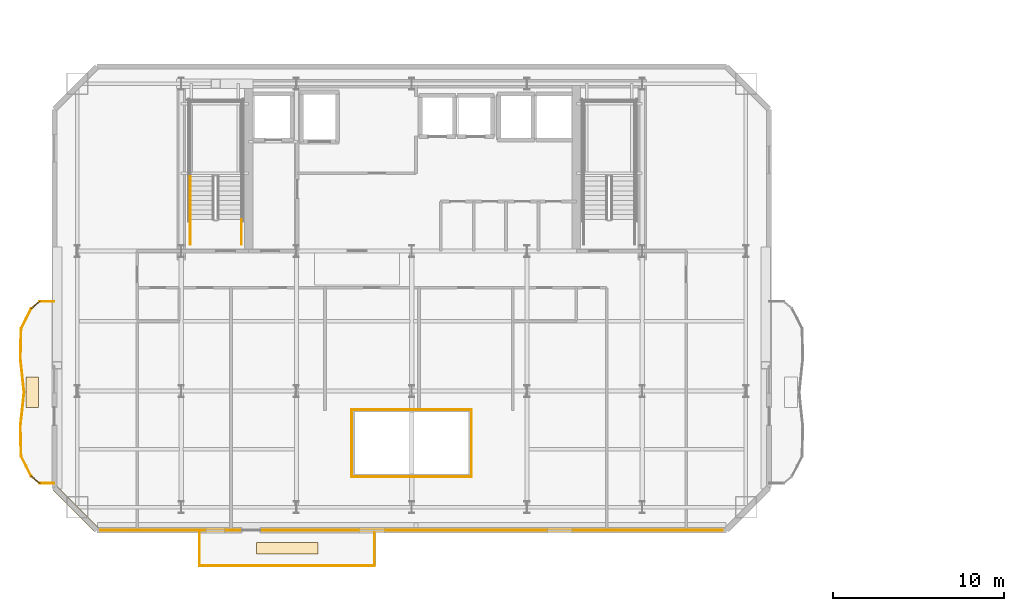
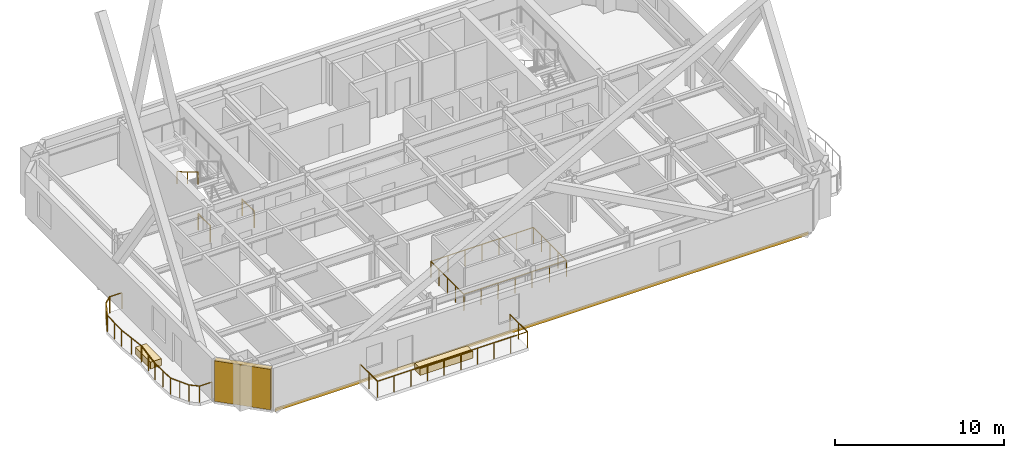
# One storey, part 15 of 19: 20 railings, 3 coverings, 1 shading device.
"""IFC4 building model written with IfcOpenShell, lengths in metres."""

from ifc_helpers import new_model, si_unit, direction, frame, origin, origin_2d, place, context, subcontext, project, spatial, rectangle, extrude, material, layer, layer_set, type_object, element, save


model = new_model("IFC4")

# Units and contexts
model_context = context("Model", 3, precision=1e-05, world=origin(), true_north=direction((0.0, 1.0)))
body_context = subcontext(model_context, "Body", "Model", "MODEL_VIEW")
ifc_project = project(units=[si_unit("LENGTHUNIT", "METRE"), si_unit("AREAUNIT", "SQUARE_METRE"), si_unit("VOLUMEUNIT", "CUBIC_METRE"), si_unit("PLANEANGLEUNIT", "RADIAN"), si_unit("MASSUNIT", "GRAM", prefix="KILO")], contexts=[model_context])

# Site, building, storey
site_placement = place(None, origin())
site = spatial("IfcSite", under=ifc_project, at=site_placement, CompositionType="ELEMENT")
building_placement = place(site_placement, origin())
building = spatial("IfcBuilding", under=site, at=building_placement, Name="Haevon Station Towers", CompositionType="ELEMENT")
storey_placement = place(building_placement, frame((0.0, 0.0, 156.0)))
storey = spatial("IfcBuildingStorey", under=building, at=storey_placement, Name="L42", CompositionType="ELEMENT", Elevation=156.0)

# Railings
ifc_material_1 = material(Name="Steel S355", Category="steel")
railing_type_1 = type_object("IfcRailingType", Name="BAL-ATR1200", PredefinedType="BALUSTRADE", material=ifc_material_1)
railing_1_placement = place(storey_placement, frame((33.995361328125, 24.991455078125, 0.0)))
element("IfcRailing", 1, at=railing_1_placement, inside=storey, type_object=railing_type_1, Name="L42 Atrium Void Balustrade 1", PredefinedType="BALUSTRADE", context=body_context, shape_type="SweptSolid", body=[
    extrude(rectangle(XDim=0.048095703125, YDim=0.048095703125, at=origin_2d()), frame((0.0, 0.0, 1.17578125), z_axis=(1.0, 0.0, 0.0), x_axis=(0.0, 1.0, 0.0)), (0.0, 0.0, 1.0), 7.00927734375),
    extrude(rectangle(XDim=0.0419921875, YDim=0.0419921875, at=origin_2d()), origin(), (0.0, 0.0, 1.0), 1.15185546875),
    extrude(rectangle(XDim=0.0419921875, YDim=0.0419921875, at=origin_2d()), frame((1.168212890625, 0.0, 0.0)), (0.0, 0.0, 1.0), 1.15185546875),
    extrude(rectangle(XDim=0.0419921875, YDim=0.0419921875, at=origin_2d()), frame((2.33642578125, 0.0, 0.0)), (0.0, 0.0, 1.0), 1.15185546875),
    extrude(rectangle(XDim=0.0419921875, YDim=0.0419921875, at=origin_2d()), frame((3.504638671875, 0.0, 0.0)), (0.0, 0.0, 1.0), 1.15185546875),
    extrude(rectangle(XDim=0.0419921875, YDim=0.0419921875, at=origin_2d()), frame((4.6728515625, 0.0, 0.0)), (0.0, 0.0, 1.0), 1.15185546875),
    extrude(rectangle(XDim=0.0419921875, YDim=0.0419921875, at=origin_2d()), frame((5.841064453125, 0.0, 0.0)), (0.0, 0.0, 1.0), 1.15185546875),
    extrude(rectangle(XDim=0.0419921875, YDim=0.0419921875, at=origin_2d()), frame((7.00927734375, 0.0, 0.0)), (0.0, 0.0, 1.0), 1.15185546875),
])
railing_2_placement = place(storey_placement, frame((41.004638671875, 24.991455078125, 0.0)))
element("IfcRailing", 2, at=railing_2_placement, inside=storey, type_object=railing_type_1, Name="L42 Atrium Void Balustrade 2", PredefinedType="BALUSTRADE", context=body_context, shape_type="SweptSolid", body=[
    extrude(rectangle(XDim=0.048095703125, YDim=0.048095703125, at=origin_2d()), frame((0.0, 0.0, 1.17578125), z_axis=(0.0, 1.0, 0.0), x_axis=(-1.0, 0.0, 0.0)), (0.0, 0.0, 1.0), 3.9169921875),
    extrude(rectangle(XDim=0.0419921875, YDim=0.0419921875, at=origin_2d()), origin(), (0.0, 0.0, 1.0), 1.15185546875),
    extrude(rectangle(XDim=0.0419921875, YDim=0.0419921875, at=origin_2d()), frame((0.0, 0.979248046875, 0.0)), (0.0, 0.0, 1.0), 1.15185546875),
    extrude(rectangle(XDim=0.0419921875, YDim=0.0419921875, at=origin_2d()), frame((0.0, 1.95849609375, 0.0)), (0.0, 0.0, 1.0), 1.15185546875),
    extrude(rectangle(XDim=0.0419921875, YDim=0.0419921875, at=origin_2d()), frame((0.0, 2.937744140625, 0.0)), (0.0, 0.0, 1.0), 1.15185546875),
    extrude(rectangle(XDim=0.0419921875, YDim=0.0419921875, at=origin_2d()), frame((0.0, 3.9169921875, 0.0)), (0.0, 0.0, 1.0), 1.15185546875),
])
railing_3_placement = place(storey_placement, frame((41.004638671875, 28.908447265625, 0.0)))
element("IfcRailing", 3, at=railing_3_placement, inside=storey, type_object=railing_type_1, Name="L42 Atrium Void Balustrade 3", PredefinedType="BALUSTRADE", context=body_context, shape_type="SweptSolid", body=[
    extrude(rectangle(XDim=0.048095703125, YDim=0.048095703125, at=origin_2d()), frame((0.0, 0.0, 1.17578125), z_axis=(-1.0, 0.0, 0.0), x_axis=(0.0, -1.0, 0.0)), (0.0, 0.0, 1.0), 7.00927734375),
    extrude(rectangle(XDim=0.0419921875, YDim=0.0419921875, at=origin_2d()), origin(), (0.0, 0.0, 1.0), 1.15185546875),
    extrude(rectangle(XDim=0.0419921875, YDim=0.0419921875, at=origin_2d()), frame((-1.168212890625, 0.0, 0.0)), (0.0, 0.0, 1.0), 1.15185546875),
    extrude(rectangle(XDim=0.0419921875, YDim=0.0419921875, at=origin_2d()), frame((-2.33642578125, 0.0, 0.0)), (0.0, 0.0, 1.0), 1.15185546875),
    extrude(rectangle(XDim=0.0419921875, YDim=0.0419921875, at=origin_2d()), frame((-3.504638671875, 0.0, 0.0)), (0.0, 0.0, 1.0), 1.15185546875),
    extrude(rectangle(XDim=0.0419921875, YDim=0.0419921875, at=origin_2d()), frame((-4.6728515625, 0.0, 0.0)), (0.0, 0.0, 1.0), 1.15185546875),
    extrude(rectangle(XDim=0.0419921875, YDim=0.0419921875, at=origin_2d()), frame((-5.841064453125, 0.0, 0.0)), (0.0, 0.0, 1.0), 1.15185546875),
    extrude(rectangle(XDim=0.0419921875, YDim=0.0419921875, at=origin_2d()), frame((-7.00927734375, 0.0, 0.0)), (0.0, 0.0, 1.0), 1.15185546875),
])
railing_4_placement = place(storey_placement, frame((33.995361328125, 28.908447265625, 0.0)))
element("IfcRailing", 4, at=railing_4_placement, inside=storey, type_object=railing_type_1, Name="L42 Atrium Void Balustrade 4", PredefinedType="BALUSTRADE", context=body_context, shape_type="SweptSolid", body=[
    extrude(rectangle(XDim=0.048095703125, YDim=0.048095703125, at=origin_2d()), frame((0.0, 0.0, 1.17578125), z_axis=(0.0, -1.0, 0.0), x_axis=(1.0, 0.0, 0.0)), (0.0, 0.0, 1.0), 3.9169921875),
    extrude(rectangle(XDim=0.0419921875, YDim=0.0419921875, at=origin_2d()), origin(), (0.0, 0.0, 1.0), 1.15185546875),
    extrude(rectangle(XDim=0.0419921875, YDim=0.0419921875, at=origin_2d()), frame((0.0, -0.979248046875, 0.0)), (0.0, 0.0, 1.0), 1.15185546875),
    extrude(rectangle(XDim=0.0419921875, YDim=0.0419921875, at=origin_2d()), frame((0.0, -1.95849609375, 0.0)), (0.0, 0.0, 1.0), 1.15185546875),
    extrude(rectangle(XDim=0.0419921875, YDim=0.0419921875, at=origin_2d()), frame((0.0, -2.937744140625, 0.0)), (0.0, 0.0, 1.0), 1.15185546875),
    extrude(rectangle(XDim=0.0419921875, YDim=0.0419921875, at=origin_2d()), frame((0.0, -3.9169921875, 0.0)), (0.0, 0.0, 1.0), 1.15185546875),
])

# Covering
ifc_material_2 = material(Name="Anodised aluminium 6063-T6", Category="aluminium")
ifc_layer_1 = layer(ifc_material_2, 0.0400390625)
ifc_layer_set_1 = layer_set([ifc_layer_1], Name="Anodised aluminium 6063-T6")
covering_type_1 = type_object("IfcCoveringType", Name="COV-CLAD40", PredefinedType="CLADDING", material=ifc_layer_set_1)
covering_1_placement = place(storey_placement, frame((37.5, 21.85009765625, -0.240234375), z_axis=(0.0, 0.0, 1.0), x_axis=(1.0, 0.0, 0.0)))
element("IfcCovering", 5, at=covering_1_placement, inside=storey, type_object=covering_type_1, Name="Tower 1 L42 Spandrel Fascia Cladding", PredefinedType="CLADDING", context=body_context, shape_type="SweptSolid", body=[
    extrude(rectangle(XDim=36.449951171875, YDim=0.0400390625, at=origin_2d()), origin(), (0.0, 0.0, 1.0), 0.239990234375),
])

# Railings
railing_type_2 = type_object("IfcRailingType", Name="GRD-EXT1200", PredefinedType="GUARDRAIL", material=ifc_material_1)
railing_5_placement = place(storey_placement, frame((16.551513671875, 35.2470703125, 0.0)))
element("IfcRailing", 6, at=railing_5_placement, inside=storey, type_object=railing_type_2, Name="L42 Perimeter Guardrail 1", PredefinedType="GUARDRAIL", context=body_context, shape_type="SweptSolid", body=[
    extrude(rectangle(XDim=0.048095703125, YDim=0.048095703125, at=origin_2d()), frame((0.0, 0.0, 1.17578125), z_axis=(-0.999997919967, -0.002039622797, 0.0), x_axis=(0.002039622797, -0.999997919967, 0.0)), (0.0, 0.0, 1.0), 0.837890625),
    extrude(rectangle(XDim=0.0419921875, YDim=0.0419921875, at=origin_2d()), origin(), (0.0, 0.0, 1.0), 1.15185546875),
    extrude(rectangle(XDim=0.0419921875, YDim=0.0419921875, at=origin_2d()), frame((-0.837890625, -0.001708984375, 0.0)), (0.0, 0.0, 1.0), 1.15185546875),
])
railing_6_placement = place(storey_placement, frame((15.713623046875, 35.245361328125, 0.0)))
element("IfcRailing", 7, at=railing_6_placement, inside=storey, type_object=railing_type_2, Name="L42 Perimeter Guardrail 2", PredefinedType="GUARDRAIL", context=body_context, shape_type="SweptSolid", body=[
    extrude(rectangle(XDim=0.048095703125, YDim=0.048095703125, at=origin_2d()), frame((0.0, 0.0, 1.17578125), z_axis=(-0.766342909973, -0.642431742938, 0.0), x_axis=(0.642431742938, -0.766342909973, 0.0)), (0.0, 0.0, 1.0), 0.640380859375),
    extrude(rectangle(XDim=0.0419921875, YDim=0.0419921875, at=origin_2d()), origin(), (0.0, 0.0, 1.0), 1.15185546875),
    extrude(rectangle(XDim=0.0419921875, YDim=0.0419921875, at=origin_2d()), frame((-0.49072265625, -0.411376953125, 0.0)), (0.0, 0.0, 1.0), 1.15185546875),
])
railing_7_placement = place(storey_placement, frame((15.222900390625, 34.833984375, 0.0)))
element("IfcRailing", 8, at=railing_7_placement, inside=storey, type_object=railing_type_2, Name="L42 Perimeter Guardrail 3", PredefinedType="GUARDRAIL", context=body_context, shape_type="SweptSolid", body=[
    extrude(rectangle(XDim=0.048095703125, YDim=0.048095703125, at=origin_2d()), frame((0.0, 0.0, 1.17578125), z_axis=(-0.452270967259, -0.89188058179, 0.0), x_axis=(0.89188058179, -0.452270967259, 0.0)), (0.0, 0.0, 1.0), 1.311279296875),
    extrude(rectangle(XDim=0.0419921875, YDim=0.0419921875, at=origin_2d()), origin(), (0.0, 0.0, 1.0), 1.15185546875),
    extrude(rectangle(XDim=0.0419921875, YDim=0.0419921875, at=origin_2d()), frame((-0.29638671875, -0.584716796875, 0.0)), (0.0, 0.0, 1.0), 1.15185546875),
    extrude(rectangle(XDim=0.0419921875, YDim=0.0419921875, at=origin_2d()), frame((-0.593017578125, -1.16943359375, 0.0)), (0.0, 0.0, 1.0), 1.15185546875),
])
railing_8_placement = place(storey_placement, frame((14.6298828125, 33.66455078125, 0.0)))
element("IfcRailing", 9, at=railing_8_placement, inside=storey, type_object=railing_type_2, Name="L42 Perimeter Guardrail 4", PredefinedType="GUARDRAIL", context=body_context, shape_type="SweptSolid", body=[
    extrude(rectangle(XDim=0.048095703125, YDim=0.048095703125, at=origin_2d()), frame((0.0, 0.0, 1.17578125), z_axis=(-0.023311172722, -0.999728257691, 0.0), x_axis=(0.999728257691, -0.023311172722, 0.0)), (0.0, 0.0, 1.0), 1.7490234375),
    extrude(rectangle(XDim=0.0419921875, YDim=0.0419921875, at=origin_2d()), origin(), (0.0, 0.0, 1.0), 1.15185546875),
    extrude(rectangle(XDim=0.0419921875, YDim=0.0419921875, at=origin_2d()), frame((-0.0205078125, -0.874267578125, 0.0)), (0.0, 0.0, 1.0), 1.15185546875),
    extrude(rectangle(XDim=0.0419921875, YDim=0.0419921875, at=origin_2d()), frame((-0.040771484375, -1.74853515625, 0.0)), (0.0, 0.0, 1.0), 1.15185546875),
])
railing_9_placement = place(storey_placement, frame((14.589111328125, 31.916015625, 0.0)))
element("IfcRailing", 10, at=railing_9_placement, inside=storey, type_object=railing_type_2, Name="L42 Perimeter Guardrail 5", PredefinedType="GUARDRAIL", context=body_context, shape_type="SweptSolid", body=[
    extrude(rectangle(XDim=0.048095703125, YDim=0.048095703125, at=origin_2d()), frame((0.0, 0.0, 1.17578125), z_axis=(0.107165907126, -0.99424115201, 0.0), x_axis=(0.99424115201, 0.107165907126, 0.0)), (0.0, 0.0, 1.0), 2.00244140625),
    extrude(rectangle(XDim=0.0419921875, YDim=0.0419921875, at=origin_2d()), origin(), (0.0, 0.0, 1.0), 1.15185546875),
    extrude(rectangle(XDim=0.0419921875, YDim=0.0419921875, at=origin_2d()), frame((0.107421875, -0.99560546875, 0.0)), (0.0, 0.0, 1.0), 1.15185546875),
    extrude(rectangle(XDim=0.0419921875, YDim=0.0419921875, at=origin_2d()), frame((0.214599609375, -1.990966796875, 0.0)), (0.0, 0.0, 1.0), 1.15185546875),
])
railing_10_placement = place(storey_placement, frame((14.8037109375, 29.925048828125, 0.0)))
element("IfcRailing", 11, at=railing_10_placement, inside=storey, type_object=railing_type_2, Name="L42 Perimeter Guardrail 6", PredefinedType="GUARDRAIL", context=body_context, shape_type="SweptSolid", body=[
    extrude(rectangle(XDim=0.048095703125, YDim=0.048095703125, at=origin_2d()), frame((0.0, 0.0, 1.17578125), z_axis=(-0.107165907126, -0.99424115201, 0.0), x_axis=(0.99424115201, -0.107165907126, 0.0)), (0.0, 0.0, 1.0), 2.00244140625),
    extrude(rectangle(XDim=0.0419921875, YDim=0.0419921875, at=origin_2d()), origin(), (0.0, 0.0, 1.0), 1.15185546875),
    extrude(rectangle(XDim=0.0419921875, YDim=0.0419921875, at=origin_2d()), frame((-0.107421875, -0.99560546875, 0.0)), (0.0, 0.0, 1.0), 1.15185546875),
    extrude(rectangle(XDim=0.0419921875, YDim=0.0419921875, at=origin_2d()), frame((-0.214599609375, -1.990966796875, 0.0)), (0.0, 0.0, 1.0), 1.15185546875),
])
railing_11_placement = place(storey_placement, frame((14.589111328125, 27.93408203125, 0.0)))
element("IfcRailing", 12, at=railing_11_placement, inside=storey, type_object=railing_type_2, Name="L42 Perimeter Guardrail 7", PredefinedType="GUARDRAIL", context=body_context, shape_type="SweptSolid", body=[
    extrude(rectangle(XDim=0.048095703125, YDim=0.048095703125, at=origin_2d()), frame((0.0, 0.0, 1.17578125), z_axis=(0.023311172722, -0.999728257691, 0.0), x_axis=(0.999728257691, 0.023311172722, 0.0)), (0.0, 0.0, 1.0), 1.7490234375),
    extrude(rectangle(XDim=0.0419921875, YDim=0.0419921875, at=origin_2d()), origin(), (0.0, 0.0, 1.0), 1.15185546875),
    extrude(rectangle(XDim=0.0419921875, YDim=0.0419921875, at=origin_2d()), frame((0.0205078125, -0.874267578125, 0.0)), (0.0, 0.0, 1.0), 1.15185546875),
    extrude(rectangle(XDim=0.0419921875, YDim=0.0419921875, at=origin_2d()), frame((0.040771484375, -1.74853515625, 0.0)), (0.0, 0.0, 1.0), 1.15185546875),
])
railing_12_placement = place(storey_placement, frame((14.6298828125, 26.185546875, 0.0)))
element("IfcRailing", 13, at=railing_12_placement, inside=storey, type_object=railing_type_2, Name="L42 Perimeter Guardrail 8", PredefinedType="GUARDRAIL", context=body_context, shape_type="SweptSolid", body=[
    extrude(rectangle(XDim=0.048095703125, YDim=0.048095703125, at=origin_2d()), frame((0.0, 0.0, 1.17578125), z_axis=(0.452270967259, -0.89188058179, 0.0), x_axis=(0.89188058179, 0.452270967259, 0.0)), (0.0, 0.0, 1.0), 1.311279296875),
    extrude(rectangle(XDim=0.0419921875, YDim=0.0419921875, at=origin_2d()), origin(), (0.0, 0.0, 1.0), 1.15185546875),
    extrude(rectangle(XDim=0.0419921875, YDim=0.0419921875, at=origin_2d()), frame((0.29638671875, -0.584716796875, 0.0)), (0.0, 0.0, 1.0), 1.15185546875),
    extrude(rectangle(XDim=0.0419921875, YDim=0.0419921875, at=origin_2d()), frame((0.593017578125, -1.16943359375, 0.0)), (0.0, 0.0, 1.0), 1.15185546875),
])
railing_13_placement = place(storey_placement, frame((15.222900390625, 25.01611328125, 0.0)))
element("IfcRailing", 14, at=railing_13_placement, inside=storey, type_object=railing_type_2, Name="L42 Perimeter Guardrail 9", PredefinedType="GUARDRAIL", context=body_context, shape_type="SweptSolid", body=[
    extrude(rectangle(XDim=0.048095703125, YDim=0.048095703125, at=origin_2d()), frame((0.0, 0.0, 1.17578125), z_axis=(0.766342909973, -0.642431742938, 0.0), x_axis=(0.642431742938, 0.766342909973, 0.0)), (0.0, 0.0, 1.0), 0.640380859375),
    extrude(rectangle(XDim=0.0419921875, YDim=0.0419921875, at=origin_2d()), origin(), (0.0, 0.0, 1.0), 1.15185546875),
    extrude(rectangle(XDim=0.0419921875, YDim=0.0419921875, at=origin_2d()), frame((0.49072265625, -0.411376953125, 0.0)), (0.0, 0.0, 1.0), 1.15185546875),
])
railing_14_placement = place(storey_placement, frame((15.713623046875, 24.604736328125, 0.0)))
element("IfcRailing", 15, at=railing_14_placement, inside=storey, type_object=railing_type_2, Name="L42 Perimeter Guardrail 10", PredefinedType="GUARDRAIL", context=body_context, shape_type="SweptSolid", body=[
    extrude(rectangle(XDim=0.048095703125, YDim=0.048095703125, at=origin_2d()), frame((0.0, 0.0, 1.17578125), z_axis=(0.999997283225, -0.002330995998, 0.0), x_axis=(0.002330995998, 0.999997283225, 0.0)), (0.0, 0.0, 1.0), 0.837890625),
    extrude(rectangle(XDim=0.0419921875, YDim=0.0419921875, at=origin_2d()), origin(), (0.0, 0.0, 1.0), 1.15185546875),
    extrude(rectangle(XDim=0.0419921875, YDim=0.0419921875, at=origin_2d()), frame((0.837890625, -0.001953125, 0.0)), (0.0, 0.0, 1.0), 1.15185546875),
])
railing_15_placement = place(storey_placement, frame((25.078369140625, 19.765869140625, 0.0)))
element("IfcRailing", 16, at=railing_15_placement, inside=storey, type_object=railing_type_2, Name="L42 Perimeter Guardrail 1", PredefinedType="GUARDRAIL", context=body_context, shape_type="SweptSolid", body=[
    extrude(rectangle(XDim=0.048095703125, YDim=0.048095703125, at=origin_2d()), frame((0.0, 0.0, 1.17578125), z_axis=(1.0, 0.0, 0.0), x_axis=(0.0, 1.0, 0.0)), (0.0, 0.0, 1.0), 10.2431640625),
    extrude(rectangle(XDim=0.0419921875, YDim=0.0419921875, at=origin_2d()), origin(), (0.0, 0.0, 1.0), 1.15185546875),
    extrude(rectangle(XDim=0.0419921875, YDim=0.0419921875, at=origin_2d()), frame((1.13818359375, 0.0, 0.0)), (0.0, 0.0, 1.0), 1.15185546875),
    extrude(rectangle(XDim=0.0419921875, YDim=0.0419921875, at=origin_2d()), frame((2.2763671875, 0.0, 0.0)), (0.0, 0.0, 1.0), 1.15185546875),
    extrude(rectangle(XDim=0.0419921875, YDim=0.0419921875, at=origin_2d()), frame((3.414306640625, 0.0, 0.0)), (0.0, 0.0, 1.0), 1.15185546875),
    extrude(rectangle(XDim=0.0419921875, YDim=0.0419921875, at=origin_2d()), frame((4.552490234375, 0.0, 0.0)), (0.0, 0.0, 1.0), 1.15185546875),
    extrude(rectangle(XDim=0.0419921875, YDim=0.0419921875, at=origin_2d()), frame((5.690673828125, 0.0, 0.0)), (0.0, 0.0, 1.0), 1.15185546875),
    extrude(rectangle(XDim=0.0419921875, YDim=0.0419921875, at=origin_2d()), frame((6.828857421875, 0.0, 0.0)), (0.0, 0.0, 1.0), 1.15185546875),
    extrude(rectangle(XDim=0.0419921875, YDim=0.0419921875, at=origin_2d()), frame((7.966796875, 0.0, 0.0)), (0.0, 0.0, 1.0), 1.15185546875),
    extrude(rectangle(XDim=0.0419921875, YDim=0.0419921875, at=origin_2d()), frame((9.10498046875, 0.0, 0.0)), (0.0, 0.0, 1.0), 1.15185546875),
    extrude(rectangle(XDim=0.0419921875, YDim=0.0419921875, at=origin_2d()), frame((10.2431640625, 0.0, 0.0)), (0.0, 0.0, 1.0), 1.15185546875),
])
railing_16_placement = place(storey_placement, frame((35.321533203125, 19.765869140625, 0.0)))
element("IfcRailing", 17, at=railing_16_placement, inside=storey, type_object=railing_type_2, Name="L42 Perimeter Guardrail 2", PredefinedType="GUARDRAIL", context=body_context, shape_type="SweptSolid", body=[
    extrude(rectangle(XDim=0.048095703125, YDim=0.048095703125, at=origin_2d()), frame((0.0, 0.0, 1.17578125), z_axis=(0.0, 1.0, 0.0), x_axis=(-1.0, 0.0, 0.0)), (0.0, 0.0, 1.0), 2.063232421875),
    extrude(rectangle(XDim=0.0419921875, YDim=0.0419921875, at=origin_2d()), origin(), (0.0, 0.0, 1.0), 1.15185546875),
    extrude(rectangle(XDim=0.0419921875, YDim=0.0419921875, at=origin_2d()), frame((0.0, 1.03173828125, 0.0)), (0.0, 0.0, 1.0), 1.15185546875),
    extrude(rectangle(XDim=0.0419921875, YDim=0.0419921875, at=origin_2d()), frame((0.0, 2.063232421875, 0.0)), (0.0, 0.0, 1.0), 1.15185546875),
])
railing_17_placement = place(storey_placement, frame((25.078369140625, 21.8291015625, 0.0)))
element("IfcRailing", 18, at=railing_17_placement, inside=storey, type_object=railing_type_2, Name="L42 Perimeter Guardrail 3", PredefinedType="GUARDRAIL", context=body_context, shape_type="SweptSolid", body=[
    extrude(rectangle(XDim=0.048095703125, YDim=0.048095703125, at=origin_2d()), frame((0.0, 0.0, 1.17578125), z_axis=(0.0, -1.0, 0.0), x_axis=(1.0, 0.0, 0.0)), (0.0, 0.0, 1.0), 2.063232421875),
    extrude(rectangle(XDim=0.0419921875, YDim=0.0419921875, at=origin_2d()), origin(), (0.0, 0.0, 1.0), 1.15185546875),
    extrude(rectangle(XDim=0.0419921875, YDim=0.0419921875, at=origin_2d()), frame((0.0, -1.03173828125, 0.0)), (0.0, 0.0, 1.0), 1.15185546875),
    extrude(rectangle(XDim=0.0419921875, YDim=0.0419921875, at=origin_2d()), frame((0.0, -2.063232421875, 0.0)), (0.0, 0.0, 1.0), 1.15185546875),
])
railing_type_3 = type_object("IfcRailingType", Name="GRD-STR1200", PredefinedType="GUARDRAIL", material=ifc_material_1)
for number, where, name in (
    (19, (27.530029296875, 38.60009765625, 0.0), "L42 ST1 Stair Guard 8"),
    (20, (24.530029296875, 38.60009765625, 0.0), "L42 ST1 Stair Guard 9"),
):
    element("IfcRailing", number, at=place(storey_placement, frame(where)), inside=storey, type_object=railing_type_3, Name=name, PredefinedType="GUARDRAIL", context=body_context, shape_type="SweptSolid", body=[
        extrude(rectangle(XDim=0.048095703125, YDim=0.048095703125, at=origin_2d()), frame((0.0, 0.0, 1.17578125), z_axis=(0.0, 1.0, 0.0), x_axis=(-1.0, 0.0, 0.0)), (0.0, 0.0, 1.0), 1.449951171875),
        extrude(rectangle(XDim=0.0419921875, YDim=0.0419921875, at=origin_2d()), origin(), (0.0, 0.0, 1.0), 1.15185546875),
        extrude(rectangle(XDim=0.0419921875, YDim=0.0419921875, at=origin_2d()), frame((0.0, 1.449951171875, 0.0)), (0.0, 0.0, 1.0), 1.15185546875),
    ])
railing_type_4 = type_object("IfcRailingType", Name="HND-STR900", PredefinedType="HANDRAIL", material=ifc_material_1)
railing_18_placement = place(storey_placement, frame((24.530029296875, 42.570068359375, 1.81494140625)))
element("IfcRailing", 21, at=railing_18_placement, inside=storey, type_object=railing_type_4, Name="L42 ST1 Stair Handrail 2", PredefinedType="HANDRAIL", context=body_context, shape_type="SweptSolid", body=[
    extrude(rectangle(XDim=0.048095703125, YDim=0.048095703125, at=origin_2d()), frame((0.0, 0.0, 0.8759765625), z_axis=(0.0, -0.86152411907, 0.507716645641), x_axis=(1.0, 0.0, 0.0)), (0.0, 0.0, 1.0), 2.925048828125),
    extrude(rectangle(XDim=0.0419921875, YDim=0.0419921875, at=origin_2d()), origin(), (0.0, 0.0, 1.0), 0.851806640625),
    extrude(rectangle(XDim=0.0419921875, YDim=0.0419921875, at=origin_2d()), frame((0.0, -1.260009765625, 0.74267578125)), (0.0, 0.0, 1.0), 0.851806640625),
    extrude(rectangle(XDim=0.0419921875, YDim=0.0419921875, at=origin_2d()), frame((0.0, -2.52001953125, 1.485107421875)), (0.0, 0.0, 1.0), 0.851806640625),
])

# Coverings
ifc_material_3 = material(Name="Architectural planter GRC", Category="concrete")
ifc_layer_2 = layer(ifc_material_3, 0.550048828125)
ifc_layer_set_2 = layer_set([ifc_layer_2], Name="Architectural planter GRC")
covering_type_2 = type_object("IfcCoveringType", Name="PLN-GRC550", PredefinedType="MOLDING", material=ifc_layer_set_2)
covering_2_placement = place(storey_placement, frame((15.2822265625, 29.925048828125, 0.0), z_axis=(0.0, 0.0, 1.0), x_axis=(1.0, 0.0, 0.0)))
element("IfcCovering", 22, at=covering_2_placement, inside=storey, type_object=covering_type_2, Name="Tower 1 L42 Scalloped Balcony PLANTER", PredefinedType="MOLDING", context=body_context, shape_type="SweptSolid", body=[
    extrude(rectangle(XDim=0.75, YDim=1.800048828125, at=origin_2d()), origin(), (0.0, 0.0, 1.0), 0.5),
])
covering_3_placement = place(storey_placement, frame((30.199951171875, 20.797607421875, 0.0), z_axis=(0.0, 0.0, 1.0), x_axis=(1.0, 0.0, 0.0)))
element("IfcCovering", 23, at=covering_3_placement, inside=storey, type_object=covering_type_2, Name="Tower 1 L42 Facade Trough PLANTER", PredefinedType="MOLDING", context=body_context, shape_type="SweptSolid", body=[
    extrude(rectangle(XDim=3.60009765625, YDim=0.64990234375, at=origin_2d()), origin(), (0.0, 0.0, 1.0), 0.5),
])

# Shading device
ifc_layer_3 = layer(ifc_material_2, 0.139892578125)
ifc_layer_set_3 = layer_set([ifc_layer_3], Name="Anodised aluminium 6063-T6")
shading_device_type = type_object("IfcShadingDeviceType", Name="SHD-WIND-BAFFLE", PredefinedType="SHUTTER", material=ifc_layer_set_3)
shading_device_placement = place(storey_placement, frame((17.824951171875, 23.10009765625, 0.0498046875), z_axis=(0.0, 0.0, 1.0), x_axis=(-0.707106781187, 0.707106781187, 0.0)))
element("IfcShadingDevice", 24, at=shading_device_placement, inside=storey, type_object=shading_device_type, Name="Tower 1 L42 Wind-Corner Aerofoil Baffle SWC", PredefinedType="SHUTTER", context=body_context, shape_type="SweptSolid", body=[
    extrude(rectangle(XDim=3.435546875, YDim=0.340087890625, at=origin_2d()), origin(), (0.0, 0.0, 1.0), 2.929931640625),
])

save(model, "model.ifc")
